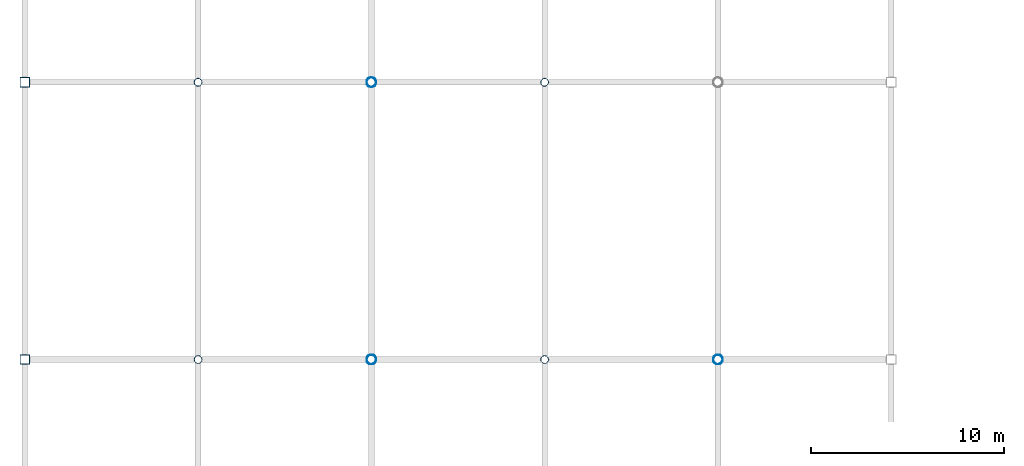
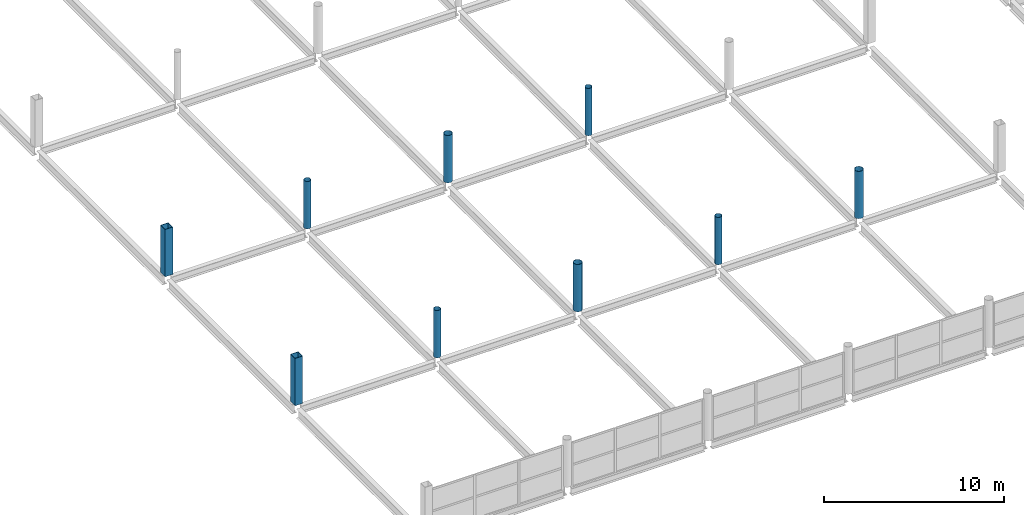
# One storey, part 3 of 134: 9 columns.
"""IFC4 building model written with IfcOpenShell, lengths in metres."""

from ifc_helpers import new_model, si_unit, direction, frame, origin, origin_2d, place, context, subcontext, project, spatial, hollow_rectangle, hollow_circle, extrude, material, material_profile, profile_set, type_object, element, save


model = new_model("IFC4")

# Units and contexts
model_context = context("Model", 3, precision=1e-05, world=origin(), true_north=direction((0.0, 1.0)))
body_context = subcontext(model_context, "Body", "Model", "MODEL_VIEW")
ifc_project = project(units=[si_unit("LENGTHUNIT", "METRE"), si_unit("AREAUNIT", "SQUARE_METRE"), si_unit("VOLUMEUNIT", "CUBIC_METRE"), si_unit("PLANEANGLEUNIT", "RADIAN"), si_unit("MASSUNIT", "GRAM", prefix="KILO")], contexts=[model_context])

# Site, building, storey
site_placement = place(None, origin())
site = spatial("IfcSite", under=ifc_project, at=site_placement, CompositionType="ELEMENT")
building_placement = place(site_placement, origin())
building = spatial("IfcBuilding", under=site, at=building_placement, Name="Tamarisk Ironworks Central Station", CompositionType="ELEMENT")
storey_placement = place(building_placement, frame((0.0, 0.0, 12.60009765625)))
storey = spatial("IfcBuildingStorey", under=building, at=storey_placement, Name="L02", CompositionType="ELEMENT", Elevation=12.60009765625)

# Columns
ifc_material = material(Name="Structural steel S355J2H", Category="steel")
ifc_material_profile_1 = material_profile(ifc_material, hollow_rectangle(XDim=0.5, YDim=0.5, WallThickness=0.02001953125, at=origin_2d()), Name="SHS 500x500x20")
ifc_profile_set_1 = profile_set([ifc_material_profile_1], Name="Structural steel S355J2H")
column_type_1 = type_object("IfcColumnType", Name="COL-S13", PredefinedType="COLUMN", material=ifc_profile_set_1)
for number, where, z_axis, x_axis, name in (
    (1, (0.0, 36.0, 0.0), (0.0, 0.0, 1.0), (1.0, 0.0, 0.0), "L02 column V1-01D"),
    (2, (0.0, 50.39990234375, 0.0), (0.0, 0.0, 1.0), (1.0, 0.0, 0.0), "L02 column V1-01E"),
):
    element("IfcColumn", number, at=place(storey_placement, frame(where, z_axis=z_axis, x_axis=x_axis)), inside=storey, type_object=column_type_1, Name=name, PredefinedType="COLUMN", context=body_context, shape_type="SweptSolid", body=[
        extrude(hollow_rectangle(XDim=0.5, YDim=0.5, WallThickness=0.02001953125, at=origin_2d()), origin(), (0.0, 0.0, 1.0), 3.199951171875),
    ])
ifc_material_profile_2 = material_profile(ifc_material, hollow_circle(Radius=0.25390625, WallThickness=0.01611328125, at=origin_2d()), Name="CHS 508x16")
ifc_profile_set_2 = profile_set([ifc_material_profile_2], Name="Structural steel S355J2H")
column_type_2 = type_object("IfcColumnType", Name="COL-S16", PredefinedType="COLUMN", material=ifc_profile_set_2)
for number, where, z_axis, x_axis, name in (
    (3, (18.0, 36.0, 0.0), (0.0, 0.0, 1.0), (1.0, 0.0, 0.0), "L02 column V1-03D"),
    (4, (18.0, 50.39990234375, 0.0), (0.0, 0.0, 1.0), (1.0, 0.0, 0.0), "L02 column V1-03E"),
    (5, (36.0, 36.0, 0.0), (0.0, 0.0, 1.0), (1.0, 0.0, 0.0), "L02 column V1-05D"),
):
    element("IfcColumn", number, at=place(storey_placement, frame(where, z_axis=z_axis, x_axis=x_axis)), inside=storey, type_object=column_type_2, Name=name, PredefinedType="COLUMN", context=body_context, shape_type="SweptSolid", body=[
        extrude(hollow_circle(Radius=0.25390625, WallThickness=0.01611328125, at=origin_2d()), origin(), (0.0, 0.0, 1.0), 3.199951171875),
    ])
ifc_material_profile_3 = material_profile(ifc_material, hollow_circle(Radius=0.203125, WallThickness=0.01416015625, at=origin_2d()), Name="CHS 406.4x14.2")
ifc_profile_set_3 = profile_set([ifc_material_profile_3], Name="Structural steel S355J2H")
column_type_3 = type_object("IfcColumnType", Name="COL-S17", PredefinedType="COLUMN", material=ifc_profile_set_3)
for number, where, z_axis, x_axis, name in (
    (6, (9.0, 36.0, 0.0), (0.0, 0.0, 1.0), (1.0, 0.0, 0.0), "L02 column V1-02D"),
    (7, (9.0, 50.39990234375, 0.0), (0.0, 0.0, 1.0), (1.0, 0.0, 0.0), "L02 column V1-02E"),
    (8, (27.0, 36.0, 0.0), (0.0, 0.0, 1.0), (1.0, 0.0, 0.0), "L02 column V1-04D"),
    (9, (27.0, 50.39990234375, 0.0), (0.0, 0.0, 1.0), (1.0, 0.0, 0.0), "L02 column V1-04E"),
):
    element("IfcColumn", number, at=place(storey_placement, frame(where, z_axis=z_axis, x_axis=x_axis)), inside=storey, type_object=column_type_3, Name=name, PredefinedType="COLUMN", context=body_context, shape_type="SweptSolid", body=[
        extrude(hollow_circle(Radius=0.203125, WallThickness=0.01416015625, at=origin_2d()), origin(), (0.0, 0.0, 1.0), 3.199951171875),
    ])

save(model, "model.ifc")
